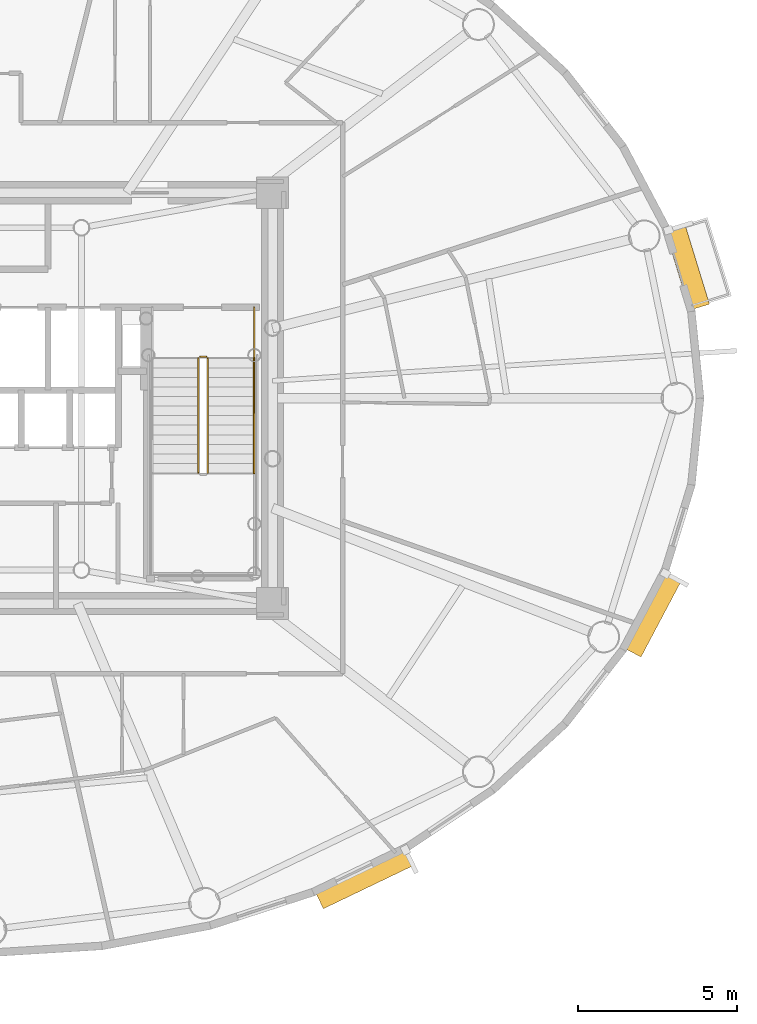
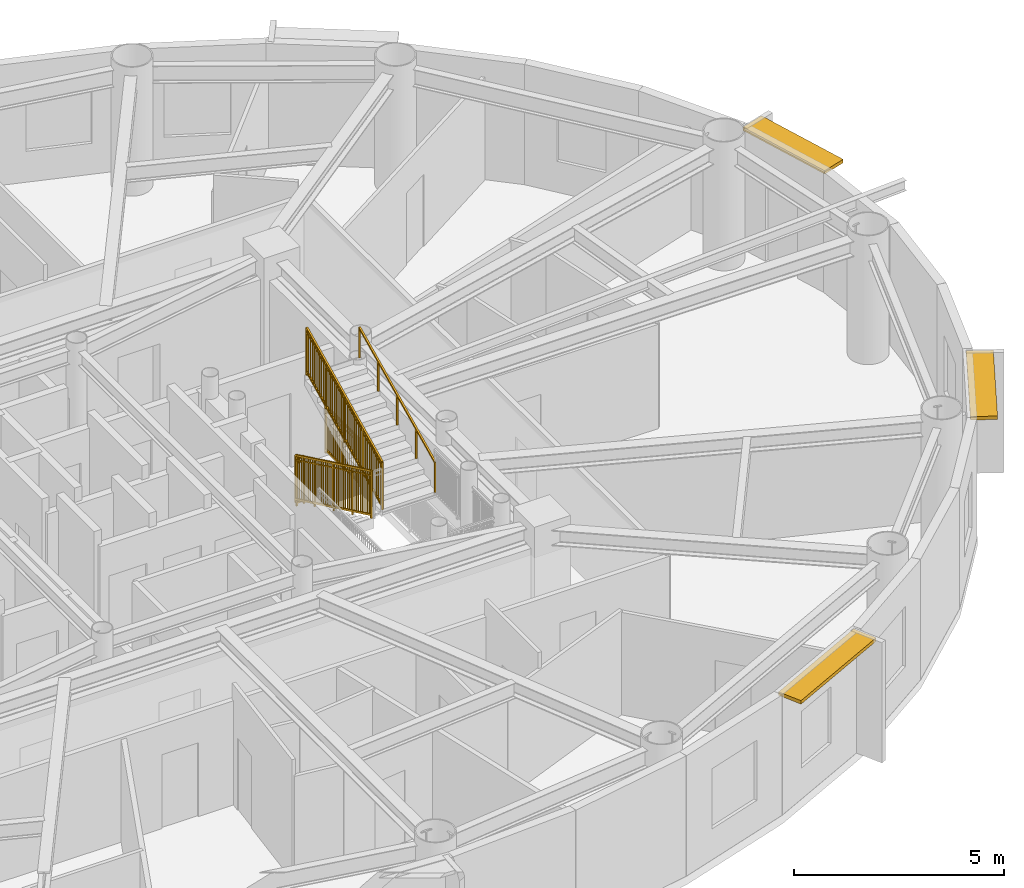
# One storey, part 17 of 18: 5 railings, 3 shading devices.
"""IFC4 building model written with IfcOpenShell, lengths in metres."""

from ifc_helpers import new_model, si_unit, direction, frame, origin, origin_2d, place, context, subcontext, project, spatial, rectangle, extrude, source, transform, mapped, material, layer, layer_set, type_object, element, save


model = new_model("IFC4")

# Units and contexts
model_context = context("Model", 3, precision=1e-05, world=origin(), true_north=direction((0.0, 1.0)))
body_context = subcontext(model_context, "Body", "Model", "MODEL_VIEW")
ifc_project = project(units=[si_unit("LENGTHUNIT", "METRE"), si_unit("AREAUNIT", "SQUARE_METRE"), si_unit("VOLUMEUNIT", "CUBIC_METRE"), si_unit("PLANEANGLEUNIT", "RADIAN"), si_unit("MASSUNIT", "GRAM", prefix="KILO")], contexts=[model_context])

# Site, building, storey
site_placement = place(None, origin())
site = spatial("IfcSite", under=ifc_project, at=site_placement, CompositionType="ELEMENT")
building_placement = place(site_placement, origin())
building = spatial("IfcBuilding", under=site, at=building_placement, Name="Linh Dai School and Residence Tower", CompositionType="ELEMENT")
storey_placement = place(building_placement, frame((0.0, 0.0, 295.5)))
storey = spatial("IfcBuildingStorey", under=building, at=storey_placement, Name="L73", CompositionType="ELEMENT", Elevation=295.5)

# Shading devices
ifc_material_1 = material(Name="Terracotta Ceramic Sunshade", Category="masonry")
ifc_layer = layer(ifc_material_1, 0.10009765625)
ifc_layer_set = layer_set([ifc_layer], Name="Terracotta Ceramic Sunshade")
shading_device_type = type_object("IfcShadingDeviceType", Name="SHD-TC-650", PredefinedType="USERDEFINED", material=ifc_layer_set)
shared_shape_1 = source(origin(), body_context, "Body", "SweptSolid", [
    extrude(rectangle(XDim=2.6640625, YDim=0.64990234375, at=origin_2d()), origin(), (0.0, 0.0, 1.0), 0.10009765625),
])
shading_device_1_placement = place(storey_placement, frame((57.867431640625, 31.129150390625, 3.3798828125), z_axis=(0.0, 0.0, 1.0), x_axis=(0.293140945944, -0.956069236934, 0.0)))
element("IfcShadingDevice", 1, at=shading_device_1_placement, inside=storey, type_object=shading_device_type, Name="L73 Terracotta Horizontal Sunshade Band 02", ObjectType="SUNSHADE", PredefinedType="USERDEFINED", context=body_context, shape_type="MappedRepresentation", body=[
    mapped(shared_shape_1, transform((0.0, 0.0, 0.0), x_axis=(1.0, 0.0, 0.0), y_axis=(0.0, 1.0, 0.0), z_axis=(0.0, 0.0, 1.0), scale=1.0)),
])
shared_shape_2 = source(origin(), body_context, "Body", "SweptSolid", [
    extrude(rectangle(XDim=3.1748046875, YDim=0.64990234375, at=origin_2d()), origin(), (0.0, 0.0, 1.0), 0.10009765625),
])
shading_device_2_placement = place(storey_placement, frame((47.737060546875, 11.9462890625, 3.3798828125), z_axis=(0.0, 0.0, 1.0), x_axis=(-0.901580240323, -0.432611916456, 0.0)))
element("IfcShadingDevice", 2, at=shading_device_2_placement, inside=storey, type_object=shading_device_type, Name="L73 Terracotta Horizontal Sunshade Band 34", ObjectType="SUNSHADE", PredefinedType="USERDEFINED", context=body_context, shape_type="MappedRepresentation", body=[
    mapped(shared_shape_2, transform((0.0, 0.0, 0.0), x_axis=(1.0, 0.0, 0.0), y_axis=(0.0, 1.0, 0.0), z_axis=(0.0, 0.0, 1.0), scale=1.0)),
])
shared_shape_3 = source(origin(), body_context, "Body", "SweptSolid", [
    extrude(rectangle(XDim=2.739501953125, YDim=0.64990234375, at=origin_2d()), origin(), (0.0, 0.0, 1.0), 0.10009765625),
])
shading_device_3_placement = place(storey_placement, frame((56.77294921875, 20.233154296875, 3.3798828125), z_axis=(0.0, 0.0, 1.0), x_axis=(-0.467603531201, -0.883938310975, 0.0)))
element("IfcShadingDevice", 3, at=shading_device_3_placement, inside=storey, type_object=shading_device_type, Name="L73 Terracotta Horizontal Sunshade Band 38", ObjectType="SUNSHADE", PredefinedType="USERDEFINED", context=body_context, shape_type="MappedRepresentation", body=[
    mapped(shared_shape_3, transform((0.0, 0.0, 0.0), x_axis=(1.0, 0.0, 0.0), y_axis=(0.0, 1.0, 0.0), z_axis=(0.0, 0.0, 1.0), scale=1.0)),
])

# Railings
ifc_material_2 = material(Name="Structural Steel S355JR", Category="steel")
railing_type_1 = type_object("IfcRailingType", Name="RL-ST-GUARD-1400", PredefinedType="GUARDRAIL", material=ifc_material_2)
shared_shape_4 = source(origin(), body_context, "Body", "SweptSolid", [
    extrude(rectangle(XDim=0.048095703125, YDim=0.048095703125, at=origin_2d()), frame((0.0, 0.0, 1.3759765625), z_axis=(0.0, 0.901262522062, 0.433273431364), x_axis=(-1.0, 0.0, 0.0)), (0.0, 0.0, 1.0), 3.994384765625),
    extrude(rectangle(XDim=0.048095703125, YDim=0.048095703125, at=origin_2d()), frame((0.0, 0.0, 0.10009765625), z_axis=(0.0, 0.901262522062, 0.433273431364), x_axis=(-1.0, 0.0, 0.0)), (0.0, 0.0, 1.0), 3.994384765625),
    extrude(rectangle(XDim=0.030029296875, YDim=0.030029296875, at=origin_2d()), frame((0.0, 0.0, 1.239990234375), z_axis=(0.0, 0.901262522062, 0.433273431364), x_axis=(-1.0, 0.0, 0.0)), (0.0, 0.0, 1.0), 3.994384765625),
    extrude(rectangle(XDim=0.02001953125, YDim=0.02001953125, at=origin_2d()), frame((0.0, 0.087890625, 0.142333984375)), (0.0, 0.0, 1.0), 1.251708984375),
    extrude(rectangle(XDim=0.02001953125, YDim=0.02001953125, at=origin_2d()), frame((0.0, 0.175537109375, 0.1845703125)), (0.0, 0.0, 1.0), 1.251708984375),
    extrude(rectangle(XDim=0.02001953125, YDim=0.02001953125, at=origin_2d()), frame((0.0, 0.263427734375, 0.226806640625)), (0.0, 0.0, 1.0), 1.251708984375),
    extrude(rectangle(XDim=0.02001953125, YDim=0.02001953125, at=origin_2d()), frame((0.0, 0.351318359375, 0.26904296875)), (0.0, 0.0, 1.0), 1.251708984375),
    extrude(rectangle(XDim=0.02001953125, YDim=0.02001953125, at=origin_2d()), frame((0.0, 0.43896484375, 0.311279296875)), (0.0, 0.0, 1.0), 1.251708984375),
    extrude(rectangle(XDim=0.02001953125, YDim=0.02001953125, at=origin_2d()), frame((0.0, 0.52685546875, 0.353271484375)), (0.0, 0.0, 1.0), 1.251708984375),
    extrude(rectangle(XDim=0.02001953125, YDim=0.02001953125, at=origin_2d()), frame((0.0, 0.61474609375, 0.3955078125)), (0.0, 0.0, 1.0), 1.251708984375),
    extrude(rectangle(XDim=0.02001953125, YDim=0.02001953125, at=origin_2d()), frame((0.0, 0.702392578125, 0.437744140625)), (0.0, 0.0, 1.0), 1.251708984375),
    extrude(rectangle(XDim=0.02001953125, YDim=0.02001953125, at=origin_2d()), frame((0.0, 0.790283203125, 0.47998046875)), (0.0, 0.0, 1.0), 1.251708984375),
    extrude(rectangle(XDim=0.02001953125, YDim=0.02001953125, at=origin_2d()), frame((0.0, 0.9658203125, 0.564453125)), (0.0, 0.0, 1.0), 1.251708984375),
    extrude(rectangle(XDim=0.02001953125, YDim=0.02001953125, at=origin_2d()), frame((0.0, 1.0537109375, 0.606689453125)), (0.0, 0.0, 1.0), 1.251708984375),
    extrude(rectangle(XDim=0.02001953125, YDim=0.02001953125, at=origin_2d()), frame((0.0, 1.1416015625, 0.64892578125)), (0.0, 0.0, 1.0), 1.251708984375),
    extrude(rectangle(XDim=0.02001953125, YDim=0.02001953125, at=origin_2d()), frame((0.0, 1.229248046875, 0.691162109375)), (0.0, 0.0, 1.0), 1.251708984375),
    extrude(rectangle(XDim=0.02001953125, YDim=0.02001953125, at=origin_2d()), frame((0.0, 1.317138671875, 0.7333984375)), (0.0, 0.0, 1.0), 1.251708984375),
    extrude(rectangle(XDim=0.02001953125, YDim=0.02001953125, at=origin_2d()), frame((0.0, 1.405029296875, 0.775390625)), (0.0, 0.0, 1.0), 1.251708984375),
    extrude(rectangle(XDim=0.02001953125, YDim=0.02001953125, at=origin_2d()), frame((0.0, 1.49267578125, 0.817626953125)), (0.0, 0.0, 1.0), 1.251708984375),
    extrude(rectangle(XDim=0.02001953125, YDim=0.02001953125, at=origin_2d()), frame((0.0, 1.58056640625, 0.85986328125)), (0.0, 0.0, 1.0), 1.251708984375),
    extrude(rectangle(XDim=0.02001953125, YDim=0.02001953125, at=origin_2d()), frame((0.0, 1.66845703125, 0.902099609375)), (0.0, 0.0, 1.0), 1.251708984375),
    extrude(rectangle(XDim=0.02001953125, YDim=0.02001953125, at=origin_2d()), frame((0.0, 1.756103515625, 0.9443359375)), (0.0, 0.0, 1.0), 1.251708984375),
    extrude(rectangle(XDim=0.02001953125, YDim=0.02001953125, at=origin_2d()), frame((0.0, 1.843994140625, 0.986572265625)), (0.0, 0.0, 1.0), 1.251708984375),
    extrude(rectangle(XDim=0.02001953125, YDim=0.02001953125, at=origin_2d()), frame((0.0, 1.931640625, 1.02880859375)), (0.0, 0.0, 1.0), 1.251708984375),
    extrude(rectangle(XDim=0.02001953125, YDim=0.02001953125, at=origin_2d()), frame((0.0, 2.01953125, 1.071044921875)), (0.0, 0.0, 1.0), 1.251708984375),
    extrude(rectangle(XDim=0.02001953125, YDim=0.02001953125, at=origin_2d()), frame((0.0, 2.107421875, 1.11328125)), (0.0, 0.0, 1.0), 1.251708984375),
    extrude(rectangle(XDim=0.02001953125, YDim=0.02001953125, at=origin_2d()), frame((0.0, 2.195068359375, 1.155517578125)), (0.0, 0.0, 1.0), 1.251708984375),
    extrude(rectangle(XDim=0.02001953125, YDim=0.02001953125, at=origin_2d()), frame((0.0, 2.282958984375, 1.197509765625)), (0.0, 0.0, 1.0), 1.251708984375),
    extrude(rectangle(XDim=0.02001953125, YDim=0.02001953125, at=origin_2d()), frame((0.0, 2.370849609375, 1.23974609375)), (0.0, 0.0, 1.0), 1.251708984375),
    extrude(rectangle(XDim=0.02001953125, YDim=0.02001953125, at=origin_2d()), frame((0.0, 2.45849609375, 1.281982421875)), (0.0, 0.0, 1.0), 1.251708984375),
    extrude(rectangle(XDim=0.02001953125, YDim=0.02001953125, at=origin_2d()), frame((0.0, 2.54638671875, 1.32421875)), (0.0, 0.0, 1.0), 1.251708984375),
    extrude(rectangle(XDim=0.02001953125, YDim=0.02001953125, at=origin_2d()), frame((0.0, 2.63427734375, 1.366455078125)), (0.0, 0.0, 1.0), 1.251708984375),
    extrude(rectangle(XDim=0.02001953125, YDim=0.02001953125, at=origin_2d()), frame((0.0, 2.809814453125, 1.450927734375)), (0.0, 0.0, 1.0), 1.251708984375),
    extrude(rectangle(XDim=0.02001953125, YDim=0.02001953125, at=origin_2d()), frame((0.0, 2.897705078125, 1.4931640625)), (0.0, 0.0, 1.0), 1.251708984375),
    extrude(rectangle(XDim=0.02001953125, YDim=0.02001953125, at=origin_2d()), frame((0.0, 2.9853515625, 1.535400390625)), (0.0, 0.0, 1.0), 1.251708984375),
    extrude(rectangle(XDim=0.02001953125, YDim=0.02001953125, at=origin_2d()), frame((0.0, 3.0732421875, 1.57763671875)), (0.0, 0.0, 1.0), 1.251708984375),
    extrude(rectangle(XDim=0.02001953125, YDim=0.02001953125, at=origin_2d()), frame((0.0, 3.1611328125, 1.61962890625)), (0.0, 0.0, 1.0), 1.251708984375),
    extrude(rectangle(XDim=0.02001953125, YDim=0.02001953125, at=origin_2d()), frame((0.0, 3.248779296875, 1.661865234375)), (0.0, 0.0, 1.0), 1.251708984375),
    extrude(rectangle(XDim=0.02001953125, YDim=0.02001953125, at=origin_2d()), frame((0.0, 3.336669921875, 1.7041015625)), (0.0, 0.0, 1.0), 1.251708984375),
    extrude(rectangle(XDim=0.02001953125, YDim=0.02001953125, at=origin_2d()), frame((0.0, 3.424560546875, 1.746337890625)), (0.0, 0.0, 1.0), 1.251708984375),
    extrude(rectangle(XDim=0.02001953125, YDim=0.02001953125, at=origin_2d()), frame((0.0, 3.51220703125, 1.78857421875)), (0.0, 0.0, 1.0), 1.251708984375),
    extrude(rectangle(XDim=0.0419921875, YDim=0.0419921875, at=origin_2d()), origin(), (0.0, 0.0, 1.0), 1.3759765625),
    extrude(rectangle(XDim=0.0419921875, YDim=0.0419921875, at=origin_2d()), frame((0.0, 0.89990234375, 0.4326171875)), (0.0, 0.0, 1.0), 1.3759765625),
    extrude(rectangle(XDim=0.0419921875, YDim=0.0419921875, at=origin_2d()), frame((0.0, 1.800048828125, 0.865234375)), (0.0, 0.0, 1.0), 1.3759765625),
    extrude(rectangle(XDim=0.0419921875, YDim=0.0419921875, at=origin_2d()), frame((0.0, 2.7001953125, 1.298095703125)), (0.0, 0.0, 1.0), 1.3759765625),
    extrude(rectangle(XDim=0.0419921875, YDim=0.0419921875, at=origin_2d()), frame((0.0, 3.60009765625, 1.730712890625)), (0.0, 0.0, 1.0), 1.3759765625),
])
railing_1_placement = place(storey_placement, frame((42.820068359375, 24.64990234375, 2.019287109375)))
element("IfcRailing", 4, at=railing_1_placement, inside=storey, type_object=railing_type_1, Name="L73 ST2 stair guard 6", PredefinedType="GUARDRAIL", context=body_context, shape_type="MappedRepresentation", body=[
    mapped(shared_shape_4, transform((0.0, 0.0, 0.0), x_axis=(1.0, 0.0, 0.0), y_axis=(0.0, 1.0, 0.0), z_axis=(0.0, 0.0, 1.0), scale=1.0)),
])
shared_shape_5 = source(origin(), body_context, "Body", "SweptSolid", [
    extrude(rectangle(XDim=0.048095703125, YDim=0.048095703125, at=origin_2d()), frame((0.0, 0.0, 1.3759765625), z_axis=(0.0, -0.901262522062, 0.433273431364), x_axis=(1.0, 0.0, 0.0)), (0.0, 0.0, 1.0), 3.994384765625),
    extrude(rectangle(XDim=0.048095703125, YDim=0.048095703125, at=origin_2d()), frame((0.0, 0.0, 0.10009765625), z_axis=(0.0, -0.901262522062, 0.433273431364), x_axis=(1.0, 0.0, 0.0)), (0.0, 0.0, 1.0), 3.994384765625),
    extrude(rectangle(XDim=0.030029296875, YDim=0.030029296875, at=origin_2d()), frame((0.0, 0.0, 1.239990234375), z_axis=(0.0, -0.901262522062, 0.433273431364), x_axis=(1.0, 0.0, 0.0)), (0.0, 0.0, 1.0), 3.994384765625),
    extrude(rectangle(XDim=0.02001953125, YDim=0.02001953125, at=origin_2d()), frame((0.0, -0.087890625, 0.142333984375)), (0.0, 0.0, 1.0), 1.251708984375),
    extrude(rectangle(XDim=0.02001953125, YDim=0.02001953125, at=origin_2d()), frame((0.0, -0.175537109375, 0.1845703125)), (0.0, 0.0, 1.0), 1.251708984375),
    extrude(rectangle(XDim=0.02001953125, YDim=0.02001953125, at=origin_2d()), frame((0.0, -0.263427734375, 0.226806640625)), (0.0, 0.0, 1.0), 1.251708984375),
    extrude(rectangle(XDim=0.02001953125, YDim=0.02001953125, at=origin_2d()), frame((0.0, -0.351318359375, 0.26904296875)), (0.0, 0.0, 1.0), 1.251708984375),
    extrude(rectangle(XDim=0.02001953125, YDim=0.02001953125, at=origin_2d()), frame((0.0, -0.43896484375, 0.311279296875)), (0.0, 0.0, 1.0), 1.251708984375),
    extrude(rectangle(XDim=0.02001953125, YDim=0.02001953125, at=origin_2d()), frame((0.0, -0.52685546875, 0.353271484375)), (0.0, 0.0, 1.0), 1.251708984375),
    extrude(rectangle(XDim=0.02001953125, YDim=0.02001953125, at=origin_2d()), frame((0.0, -0.61474609375, 0.3955078125)), (0.0, 0.0, 1.0), 1.251708984375),
    extrude(rectangle(XDim=0.02001953125, YDim=0.02001953125, at=origin_2d()), frame((0.0, -0.702392578125, 0.437744140625)), (0.0, 0.0, 1.0), 1.251708984375),
    extrude(rectangle(XDim=0.02001953125, YDim=0.02001953125, at=origin_2d()), frame((0.0, -0.790283203125, 0.47998046875)), (0.0, 0.0, 1.0), 1.251708984375),
    extrude(rectangle(XDim=0.02001953125, YDim=0.02001953125, at=origin_2d()), frame((0.0, -0.9658203125, 0.564453125)), (0.0, 0.0, 1.0), 1.251708984375),
    extrude(rectangle(XDim=0.02001953125, YDim=0.02001953125, at=origin_2d()), frame((0.0, -1.0537109375, 0.606689453125)), (0.0, 0.0, 1.0), 1.251708984375),
    extrude(rectangle(XDim=0.02001953125, YDim=0.02001953125, at=origin_2d()), frame((0.0, -1.1416015625, 0.64892578125)), (0.0, 0.0, 1.0), 1.251708984375),
    extrude(rectangle(XDim=0.02001953125, YDim=0.02001953125, at=origin_2d()), frame((0.0, -1.229248046875, 0.691162109375)), (0.0, 0.0, 1.0), 1.251708984375),
    extrude(rectangle(XDim=0.02001953125, YDim=0.02001953125, at=origin_2d()), frame((0.0, -1.317138671875, 0.7333984375)), (0.0, 0.0, 1.0), 1.251708984375),
    extrude(rectangle(XDim=0.02001953125, YDim=0.02001953125, at=origin_2d()), frame((0.0, -1.405029296875, 0.775390625)), (0.0, 0.0, 1.0), 1.251708984375),
    extrude(rectangle(XDim=0.02001953125, YDim=0.02001953125, at=origin_2d()), frame((0.0, -1.49267578125, 0.817626953125)), (0.0, 0.0, 1.0), 1.251708984375),
    extrude(rectangle(XDim=0.02001953125, YDim=0.02001953125, at=origin_2d()), frame((0.0, -1.58056640625, 0.85986328125)), (0.0, 0.0, 1.0), 1.251708984375),
    extrude(rectangle(XDim=0.02001953125, YDim=0.02001953125, at=origin_2d()), frame((0.0, -1.66845703125, 0.902099609375)), (0.0, 0.0, 1.0), 1.251708984375),
    extrude(rectangle(XDim=0.02001953125, YDim=0.02001953125, at=origin_2d()), frame((0.0, -1.756103515625, 0.9443359375)), (0.0, 0.0, 1.0), 1.251708984375),
    extrude(rectangle(XDim=0.02001953125, YDim=0.02001953125, at=origin_2d()), frame((0.0, -1.843994140625, 0.986572265625)), (0.0, 0.0, 1.0), 1.251708984375),
    extrude(rectangle(XDim=0.02001953125, YDim=0.02001953125, at=origin_2d()), frame((0.0, -1.931640625, 1.02880859375)), (0.0, 0.0, 1.0), 1.251708984375),
    extrude(rectangle(XDim=0.02001953125, YDim=0.02001953125, at=origin_2d()), frame((0.0, -2.01953125, 1.071044921875)), (0.0, 0.0, 1.0), 1.251708984375),
    extrude(rectangle(XDim=0.02001953125, YDim=0.02001953125, at=origin_2d()), frame((0.0, -2.107421875, 1.11328125)), (0.0, 0.0, 1.0), 1.251708984375),
    extrude(rectangle(XDim=0.02001953125, YDim=0.02001953125, at=origin_2d()), frame((0.0, -2.195068359375, 1.155517578125)), (0.0, 0.0, 1.0), 1.251708984375),
    extrude(rectangle(XDim=0.02001953125, YDim=0.02001953125, at=origin_2d()), frame((0.0, -2.282958984375, 1.197509765625)), (0.0, 0.0, 1.0), 1.251708984375),
    extrude(rectangle(XDim=0.02001953125, YDim=0.02001953125, at=origin_2d()), frame((0.0, -2.370849609375, 1.23974609375)), (0.0, 0.0, 1.0), 1.251708984375),
    extrude(rectangle(XDim=0.02001953125, YDim=0.02001953125, at=origin_2d()), frame((0.0, -2.45849609375, 1.281982421875)), (0.0, 0.0, 1.0), 1.251708984375),
    extrude(rectangle(XDim=0.02001953125, YDim=0.02001953125, at=origin_2d()), frame((0.0, -2.54638671875, 1.32421875)), (0.0, 0.0, 1.0), 1.251708984375),
    extrude(rectangle(XDim=0.02001953125, YDim=0.02001953125, at=origin_2d()), frame((0.0, -2.63427734375, 1.366455078125)), (0.0, 0.0, 1.0), 1.251708984375),
    extrude(rectangle(XDim=0.02001953125, YDim=0.02001953125, at=origin_2d()), frame((0.0, -2.809814453125, 1.450927734375)), (0.0, 0.0, 1.0), 1.251708984375),
    extrude(rectangle(XDim=0.02001953125, YDim=0.02001953125, at=origin_2d()), frame((0.0, -2.897705078125, 1.4931640625)), (0.0, 0.0, 1.0), 1.251708984375),
    extrude(rectangle(XDim=0.02001953125, YDim=0.02001953125, at=origin_2d()), frame((0.0, -2.9853515625, 1.535400390625)), (0.0, 0.0, 1.0), 1.251708984375),
    extrude(rectangle(XDim=0.02001953125, YDim=0.02001953125, at=origin_2d()), frame((0.0, -3.0732421875, 1.57763671875)), (0.0, 0.0, 1.0), 1.251708984375),
    extrude(rectangle(XDim=0.02001953125, YDim=0.02001953125, at=origin_2d()), frame((0.0, -3.1611328125, 1.61962890625)), (0.0, 0.0, 1.0), 1.251708984375),
    extrude(rectangle(XDim=0.02001953125, YDim=0.02001953125, at=origin_2d()), frame((0.0, -3.248779296875, 1.661865234375)), (0.0, 0.0, 1.0), 1.251708984375),
    extrude(rectangle(XDim=0.02001953125, YDim=0.02001953125, at=origin_2d()), frame((0.0, -3.336669921875, 1.7041015625)), (0.0, 0.0, 1.0), 1.251708984375),
    extrude(rectangle(XDim=0.02001953125, YDim=0.02001953125, at=origin_2d()), frame((0.0, -3.424560546875, 1.746337890625)), (0.0, 0.0, 1.0), 1.251708984375),
    extrude(rectangle(XDim=0.02001953125, YDim=0.02001953125, at=origin_2d()), frame((0.0, -3.51220703125, 1.78857421875)), (0.0, 0.0, 1.0), 1.251708984375),
    extrude(rectangle(XDim=0.0419921875, YDim=0.0419921875, at=origin_2d()), origin(), (0.0, 0.0, 1.0), 1.3759765625),
    extrude(rectangle(XDim=0.0419921875, YDim=0.0419921875, at=origin_2d()), frame((0.0, -0.89990234375, 0.4326171875)), (0.0, 0.0, 1.0), 1.3759765625),
    extrude(rectangle(XDim=0.0419921875, YDim=0.0419921875, at=origin_2d()), frame((0.0, -1.800048828125, 0.865234375)), (0.0, 0.0, 1.0), 1.3759765625),
    extrude(rectangle(XDim=0.0419921875, YDim=0.0419921875, at=origin_2d()), frame((0.0, -2.7001953125, 1.298095703125)), (0.0, 0.0, 1.0), 1.3759765625),
    extrude(rectangle(XDim=0.0419921875, YDim=0.0419921875, at=origin_2d()), frame((0.0, -3.60009765625, 1.730712890625)), (0.0, 0.0, 1.0), 1.3759765625),
])
railing_2_placement = place(storey_placement, frame((42.52001953125, 28.25, 0.144287109375)))
element("IfcRailing", 5, at=railing_2_placement, inside=storey, type_object=railing_type_1, Name="L73 ST2 stair guard 1", PredefinedType="GUARDRAIL", context=body_context, shape_type="MappedRepresentation", body=[
    mapped(shared_shape_5, transform((0.0, 0.0, 0.0), x_axis=(1.0, 0.0, 0.0), y_axis=(0.0, 1.0, 0.0), z_axis=(0.0, 0.0, 1.0), scale=1.0)),
])
ifc_material_3 = material(Name="Brushed Stainless Steel Handrail", Category="steel")
railing_type_2 = type_object("IfcRailingType", Name="RL-ST-HANDRAIL-900", PredefinedType="HANDRAIL", material=ifc_material_3)
shared_shape_6 = source(origin(), body_context, "Body", "SweptSolid", [
    extrude(rectangle(XDim=0.048095703125, YDim=0.048095703125, at=origin_2d()), frame((0.0, 0.0, 0.8759765625), z_axis=(0.0, 0.901262522062, 0.433273431364), x_axis=(-1.0, 0.0, 0.0)), (0.0, 0.0, 1.0), 3.994384765625),
    extrude(rectangle(XDim=0.0419921875, YDim=0.0419921875, at=origin_2d()), origin(), (0.0, 0.0, 1.0), 0.8759765625),
    extrude(rectangle(XDim=0.0419921875, YDim=0.0419921875, at=origin_2d()), frame((0.0, 0.89990234375, 0.4326171875)), (0.0, 0.0, 1.0), 0.8759765625),
    extrude(rectangle(XDim=0.0419921875, YDim=0.0419921875, at=origin_2d()), frame((0.0, 1.800048828125, 0.865234375)), (0.0, 0.0, 1.0), 0.8759765625),
    extrude(rectangle(XDim=0.0419921875, YDim=0.0419921875, at=origin_2d()), frame((0.0, 2.7001953125, 1.298095703125)), (0.0, 0.0, 1.0), 0.8759765625),
    extrude(rectangle(XDim=0.0419921875, YDim=0.0419921875, at=origin_2d()), frame((0.0, 3.60009765625, 1.730712890625)), (0.0, 0.0, 1.0), 0.8759765625),
])
railing_3_placement = place(storey_placement, frame((44.27001953125, 24.64990234375, 2.019287109375)))
element("IfcRailing", 6, at=railing_3_placement, inside=storey, type_object=railing_type_2, Name="L73 ST2 stair handrail 2", PredefinedType="HANDRAIL", context=body_context, shape_type="MappedRepresentation", body=[
    mapped(shared_shape_6, transform((0.0, 0.0, 0.0), x_axis=(1.0, 0.0, 0.0), y_axis=(0.0, 1.0, 0.0), z_axis=(0.0, 0.0, 1.0), scale=1.0)),
])
shared_shape_7 = source(origin(), body_context, "Body", "SweptSolid", [
    extrude(rectangle(XDim=0.048095703125, YDim=0.048095703125, at=origin_2d()), frame((0.0, 0.0, 1.3759765625), z_axis=(1.0, 0.0, 0.0), x_axis=(0.0, 1.0, 0.0)), (0.0, 0.0, 1.0), 0.199951171875),
    extrude(rectangle(XDim=0.048095703125, YDim=0.048095703125, at=origin_2d()), frame((0.0, 0.0, 0.10009765625), z_axis=(1.0, 0.0, 0.0), x_axis=(0.0, 1.0, 0.0)), (0.0, 0.0, 1.0), 0.199951171875),
    extrude(rectangle(XDim=0.030029296875, YDim=0.030029296875, at=origin_2d()), frame((0.0, 0.0, 1.239990234375), z_axis=(1.0, 0.0, 0.0), x_axis=(0.0, 1.0, 0.0)), (0.0, 0.0, 1.0), 0.199951171875),
    extrude(rectangle(XDim=0.0419921875, YDim=0.0419921875, at=origin_2d()), origin(), (0.0, 0.0, 1.0), 1.3759765625),
    extrude(rectangle(XDim=0.0419921875, YDim=0.0419921875, at=origin_2d()), frame((0.199951171875, 0.0, 0.0)), (0.0, 0.0, 1.0), 1.3759765625),
])
railing_4_placement = place(storey_placement, frame((42.570068359375, 28.300048828125, 0.0)))
element("IfcRailing", 7, at=railing_4_placement, inside=storey, type_object=railing_type_1, Name="L73 ST2 stair guard 7", PredefinedType="GUARDRAIL", context=body_context, shape_type="MappedRepresentation", body=[
    mapped(shared_shape_7, transform((0.0, 0.0, 0.0), x_axis=(1.0, 0.0, 0.0), y_axis=(0.0, 1.0, 0.0), z_axis=(0.0, 0.0, 1.0), scale=1.0)),
])
shared_shape_8 = source(origin(), body_context, "Body", "SweptSolid", [
    extrude(rectangle(XDim=0.048095703125, YDim=0.048095703125, at=origin_2d()), frame((0.0, 0.0, 1.3759765625), z_axis=(0.0, -1.0, 0.0), x_axis=(1.0, 0.0, 0.0)), (0.0, 0.0, 1.0), 1.60009765625),
    extrude(rectangle(XDim=0.048095703125, YDim=0.048095703125, at=origin_2d()), frame((0.0, 0.0, 0.10009765625), z_axis=(0.0, -1.0, 0.0), x_axis=(1.0, 0.0, 0.0)), (0.0, 0.0, 1.0), 1.60009765625),
    extrude(rectangle(XDim=0.030029296875, YDim=0.030029296875, at=origin_2d()), frame((0.0, 0.0, 1.239990234375), z_axis=(0.0, -1.0, 0.0), x_axis=(1.0, 0.0, 0.0)), (0.0, 0.0, 1.0), 1.60009765625),
    extrude(rectangle(XDim=0.02001953125, YDim=0.02001953125, at=origin_2d()), frame((0.0, -0.09423828125, 0.10009765625)), (0.0, 0.0, 1.0), 1.251708984375),
    extrude(rectangle(XDim=0.02001953125, YDim=0.02001953125, at=origin_2d()), frame((0.0, -0.188232421875, 0.10009765625)), (0.0, 0.0, 1.0), 1.251708984375),
    extrude(rectangle(XDim=0.02001953125, YDim=0.02001953125, at=origin_2d()), frame((0.0, -0.282470703125, 0.10009765625)), (0.0, 0.0, 1.0), 1.251708984375),
    extrude(rectangle(XDim=0.02001953125, YDim=0.02001953125, at=origin_2d()), frame((0.0, -0.37646484375, 0.10009765625)), (0.0, 0.0, 1.0), 1.251708984375),
    extrude(rectangle(XDim=0.02001953125, YDim=0.02001953125, at=origin_2d()), frame((0.0, -0.470703125, 0.10009765625)), (0.0, 0.0, 1.0), 1.251708984375),
    extrude(rectangle(XDim=0.02001953125, YDim=0.02001953125, at=origin_2d()), frame((0.0, -0.564697265625, 0.10009765625)), (0.0, 0.0, 1.0), 1.251708984375),
    extrude(rectangle(XDim=0.02001953125, YDim=0.02001953125, at=origin_2d()), frame((0.0, -0.658935546875, 0.10009765625)), (0.0, 0.0, 1.0), 1.251708984375),
    extrude(rectangle(XDim=0.02001953125, YDim=0.02001953125, at=origin_2d()), frame((0.0, -0.7529296875, 0.10009765625)), (0.0, 0.0, 1.0), 1.251708984375),
    extrude(rectangle(XDim=0.02001953125, YDim=0.02001953125, at=origin_2d()), frame((0.0, -0.84716796875, 0.10009765625)), (0.0, 0.0, 1.0), 1.251708984375),
    extrude(rectangle(XDim=0.02001953125, YDim=0.02001953125, at=origin_2d()), frame((0.0, -0.941162109375, 0.10009765625)), (0.0, 0.0, 1.0), 1.251708984375),
    extrude(rectangle(XDim=0.02001953125, YDim=0.02001953125, at=origin_2d()), frame((0.0, -1.035400390625, 0.10009765625)), (0.0, 0.0, 1.0), 1.251708984375),
    extrude(rectangle(XDim=0.02001953125, YDim=0.02001953125, at=origin_2d()), frame((0.0, -1.12939453125, 0.10009765625)), (0.0, 0.0, 1.0), 1.251708984375),
    extrude(rectangle(XDim=0.02001953125, YDim=0.02001953125, at=origin_2d()), frame((0.0, -1.2236328125, 0.10009765625)), (0.0, 0.0, 1.0), 1.251708984375),
    extrude(rectangle(XDim=0.02001953125, YDim=0.02001953125, at=origin_2d()), frame((0.0, -1.317626953125, 0.10009765625)), (0.0, 0.0, 1.0), 1.251708984375),
    extrude(rectangle(XDim=0.02001953125, YDim=0.02001953125, at=origin_2d()), frame((0.0, -1.411865234375, 0.10009765625)), (0.0, 0.0, 1.0), 1.251708984375),
    extrude(rectangle(XDim=0.02001953125, YDim=0.02001953125, at=origin_2d()), frame((0.0, -1.505859375, 0.10009765625)), (0.0, 0.0, 1.0), 1.251708984375),
    extrude(rectangle(XDim=0.0419921875, YDim=0.0419921875, at=origin_2d()), origin(), (0.0, 0.0, 1.0), 1.3759765625),
    extrude(rectangle(XDim=0.0419921875, YDim=0.0419921875, at=origin_2d()), frame((0.0, -0.800048828125, 0.0)), (0.0, 0.0, 1.0), 1.3759765625),
    extrude(rectangle(XDim=0.0419921875, YDim=0.0419921875, at=origin_2d()), frame((0.0, -1.60009765625, 0.0)), (0.0, 0.0, 1.0), 1.3759765625),
])
railing_5_placement = place(storey_placement, frame((44.27001953125, 29.85009765625, 0.0)))
element("IfcRailing", 8, at=railing_5_placement, inside=storey, type_object=railing_type_1, Name="L73 ST2 stair guard 9", PredefinedType="GUARDRAIL", context=body_context, shape_type="MappedRepresentation", body=[
    mapped(shared_shape_8, transform((0.0, 0.0, 0.0), x_axis=(1.0, 0.0, 0.0), y_axis=(0.0, 1.0, 0.0), z_axis=(0.0, 0.0, 1.0), scale=1.0)),
])

save(model, "model.ifc")
